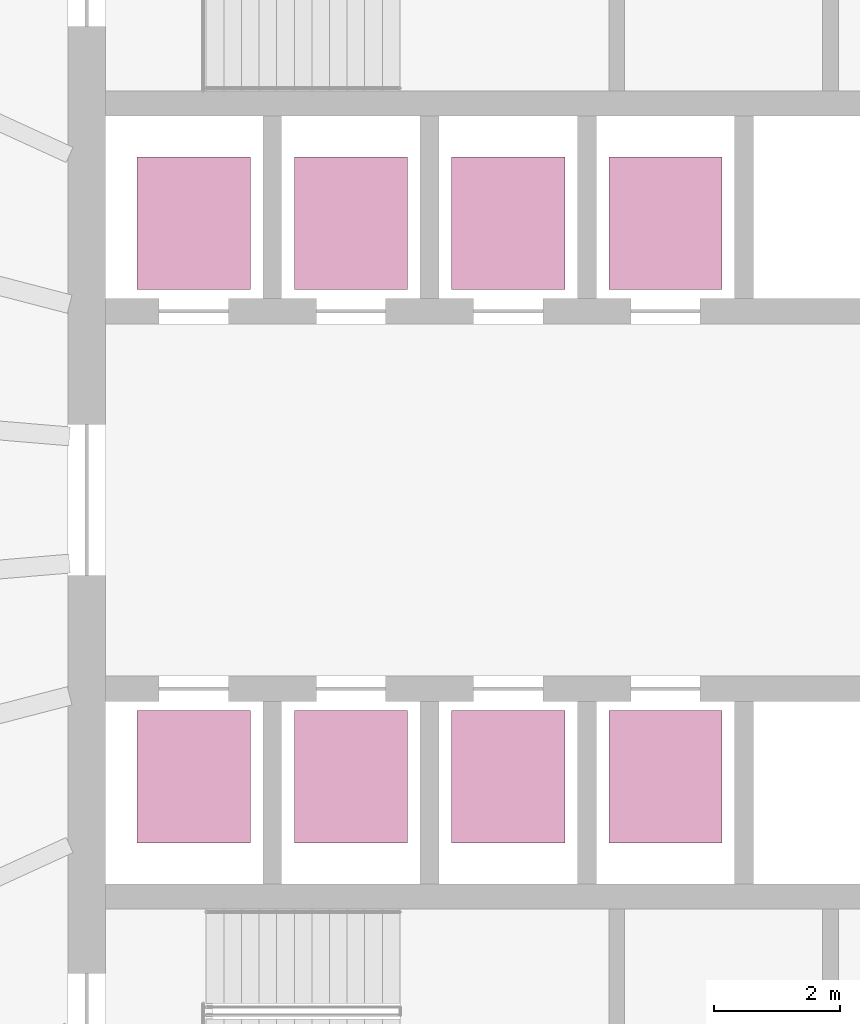
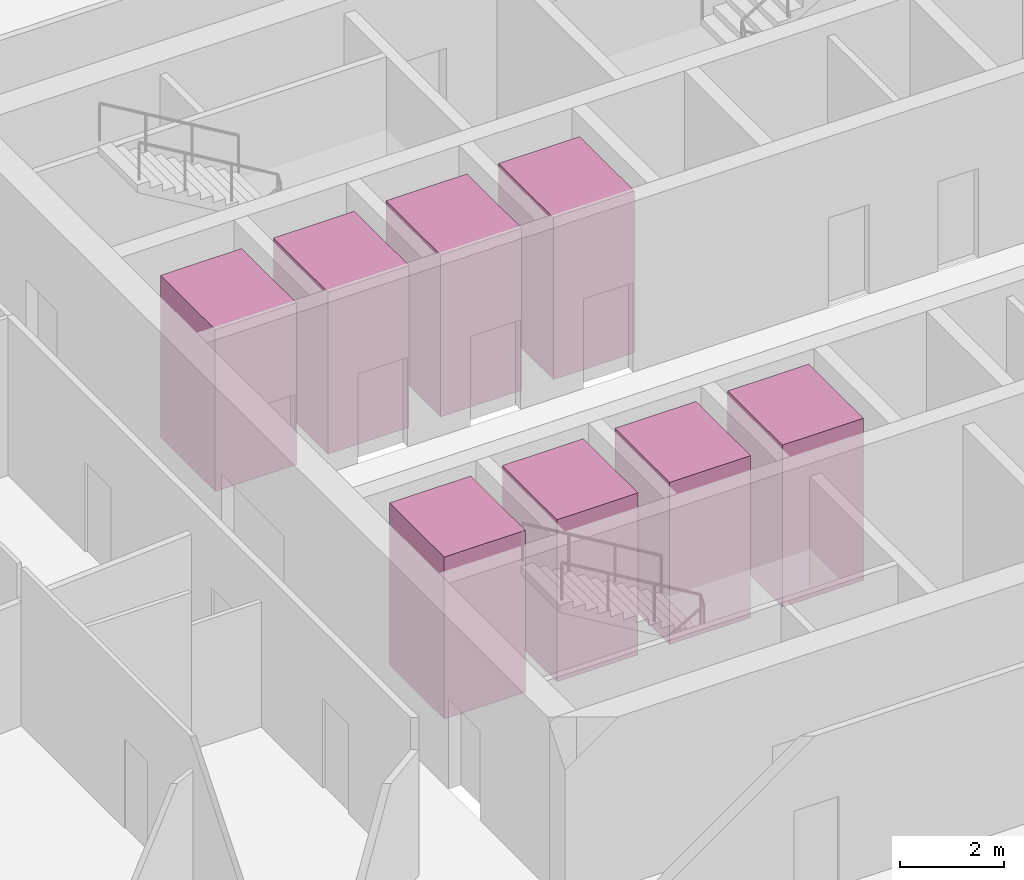
# One storey, part 11 of 11: 8 transport elements.
"""IFC4 building model written with IfcOpenShell, lengths in metres."""

import ifcopenshell
import ifcopenshell.guid

model = None  # the IFC model being written
_history = None  # IfcOwnerHistory: only IFC2X3 demands one
_inside = {}  # id of a spatial element -> (the spatial element, [elements in it])
_under = {}  # id of a project, library or spatial element -> (it, [spatial elements below it])
_declared = {}  # id of a project -> (the project, [libraries it declares])
_typed = {}  # id of a type object -> (the type object, [elements of that type])
_made_of = {}  # id of a material, layer set ... -> (it, [elements and type objects made of it])


def new_model(schema):
    """Start an empty IFC model of exactly this schema.

    Asked for "IFC4X3", IfcOpenShell would pick the latest addendum, in which some entities
    have other attributes; the version numbers below select the first issue.
    IFC2X3 requires an IfcOwnerHistory on every rooted entity: one is made here for all.
    """
    global model, _history
    if schema == "IFC4X3":
        model = ifcopenshell.file(schema_version=(4, 3, 0, 0))
    else:
        model = ifcopenshell.file(schema=schema)
    _inside.clear()
    _under.clear()
    _declared.clear()
    _typed.clear()
    _made_of.clear()
    _history = None
    if model.schema == "IFC2X3":
        org = make("IfcOrganization", Name="unknown")
        user = make(
            "IfcPersonAndOrganization",
            ThePerson=make("IfcPerson", FamilyName="unknown"),
            TheOrganization=org,
        )
        app = make(
            "IfcApplication",
            ApplicationDeveloper=org,
            Version="unknown",
            ApplicationFullName="unknown",
            ApplicationIdentifier="unknown",
        )
        _history = make(
            "IfcOwnerHistory",
            OwningUser=user,
            OwningApplication=app,
            ChangeAction="ADDED",
            CreationDate=0,
        )
    return model


def make(cls, **values):
    """One entity of the class cls with the attributes given. An attribute that is None is left unset."""
    return model.create_entity(
        cls, **{name: value for name, value in values.items() if value is not None}
    )


def rooted(cls, **values):
    """An entity with a GlobalId (a new one), such as an element, a storey or a relation."""
    return make(cls, GlobalId=ifcopenshell.guid.new(), OwnerHistory=_history, **values)


def si_unit(unit_type, name, prefix=None):
    """IfcSIUnit, for example si_unit("LENGTHUNIT", "METRE", prefix="MILLI")."""
    return make("IfcSIUnit", UnitType=unit_type, Prefix=prefix, Name=name)


def assignment(units):
    """IfcUnitAssignment: the units of a project."""
    return None if units is None else make("IfcUnitAssignment", Units=units)


def point(xyz):
    """IfcCartesianPoint."""
    return None if xyz is None else make("IfcCartesianPoint", Coordinates=xyz)


def direction(xyz):
    """IfcDirection."""
    return None if xyz is None else make("IfcDirection", DirectionRatios=xyz)


def frame(location, z_axis=None, x_axis=None):
    """IfcAxis2Placement3D, a coordinate frame: its origin and axes. An axis left out is left unset."""
    return make(
        "IfcAxis2Placement3D",
        Location=point(location),
        Axis=direction(z_axis),
        RefDirection=direction(x_axis),
    )


def frame_2d(location, x_axis=None):
    """IfcAxis2Placement2D, a coordinate frame in the plane: its origin and x axis."""
    return make(
        "IfcAxis2Placement2D", Location=point(location), RefDirection=direction(x_axis)
    )


def origin():
    """The frame at (0, 0, 0) with its axes left unset."""
    return frame((0.0, 0.0, 0.0))


def origin_2d():
    """The frame at (0, 0) in the plane with its x axis left unset."""
    return frame_2d((0.0, 0.0))


def place(relative_to, where):
    """IfcLocalPlacement: puts the frame where relative to a parent placement (None: the world)."""
    return make(
        "IfcLocalPlacement", PlacementRelTo=relative_to, RelativePlacement=where
    )


def context(
    kind, dimensions, precision=None, world=None, true_north=None, identifier=None
):
    """IfcGeometricRepresentationContext, for example the 3D "Model" context."""
    return make(
        "IfcGeometricRepresentationContext",
        ContextIdentifier=identifier,
        ContextType=kind,
        CoordinateSpaceDimension=dimensions,
        Precision=precision,
        WorldCoordinateSystem=world,
        TrueNorth=true_north,
    )


def subcontext(parent, identifier, kind, view, scale=None):
    """IfcGeometricRepresentationSubContext, for example "Body" below "Model"."""
    return make(
        "IfcGeometricRepresentationSubContext",
        ContextIdentifier=identifier,
        ContextType=kind,
        ParentContext=parent,
        TargetScale=scale,
        TargetView=view,
    )


def project(units=None, contexts=None):
    """IfcProject with its units and contexts."""
    return rooted(
        "IfcProject",
        Name="project",
        RepresentationContexts=contexts,
        UnitsInContext=assignment(units),
    )


def spatial(cls, under=None, at=None, **own):
    """A site, building, storey or space (cls), placed at a placement, below another one or the project."""
    s = rooted(cls, ObjectPlacement=at, **own)
    if under is not None:
        _under.setdefault(under.id(), (under, []))[1].append(s)
    return s


def profile(cls, at=None, kind="AREA", **sizes):
    """A parametric profile (cls). Its sizes go by their IFC names, for example OverallWidth=200.0."""
    return make(cls, ProfileType=kind, Position=at, **sizes)


def rectangle(**sizes):
    """IfcRectangleProfileDef."""
    return profile("IfcRectangleProfileDef", **sizes)


def extrude(swept, where, along, depth):
    """IfcExtrudedAreaSolid: the profile swept, set in the frame where, extruded along a direction by depth."""
    return make(
        "IfcExtrudedAreaSolid",
        SweptArea=swept,
        Position=where,
        ExtrudedDirection=direction(along),
        Depth=depth,
    )


def shape(context_of_items, identifier, shape_type, items):
    """IfcShapeRepresentation: the items that make up one representation, for example the "Body"."""
    return make(
        "IfcShapeRepresentation",
        ContextOfItems=context_of_items,
        RepresentationIdentifier=identifier,
        RepresentationType=shape_type,
        Items=items,
    )


def material(Name=None, Category=None):
    """IfcMaterial."""
    return make("IfcMaterial", Name=Name, Category=Category)


def made_of(thing, what):
    """Note that an element or type object is made of a material, layer set ...; save() writes the relation."""
    if what is not None:
        _made_of.setdefault(what.id(), (what, []))[1].append(thing)
    return thing


def type_object(cls, material=None, **own):
    """A type object (cls), such as IfcWallType, which elements share."""
    return made_of(rooted(cls, **own), material)


def element(
    cls,
    number,
    at=None,
    inside=None,
    cuts=None,
    type_object=None,
    material=None,
    context=None,
    identifier="Body",
    shape_type=None,
    held_by="IfcProductDefinitionShape",
    body=None,
    shapes=None,
    **own,
):
    """One element of the class cls, such as IfcWall. Its Tag is "e" and its number.

    at: its placement. inside: the storey or other place that contains it. cuts: it is an
    opening in that element (IfcRelVoidsElement). A single representation is given by context,
    identifier, shape_type and body (its items); several are given by shapes. held_by: the class
    of the entity that holds the representations. save() writes the other relations.
    """
    e = rooted(cls, Tag="e%d" % number, ObjectPlacement=at, **own)
    if body is not None:
        shapes = [shape(context, identifier, shape_type, body)]
    if shapes is not None:
        e.Representation = make(held_by, Representations=shapes)
    if inside is not None:
        _inside.setdefault(inside.id(), (inside, []))[1].append(e)
    if cuts is not None:
        rooted(
            "IfcRelVoidsElement", RelatingBuildingElement=cuts, RelatedOpeningElement=e
        )
    if type_object is not None:
        _typed.setdefault(type_object.id(), (type_object, []))[1].append(e)
    return made_of(e, material)


def aggregate(whole, parts):
    """IfcRelAggregates: a whole, such as a stair, and the parts it consists of."""
    return rooted("IfcRelAggregates", RelatingObject=whole, RelatedObjects=parts)


def save(model, path):
    """Write the relations noted so far, then the file.

    IfcRelAggregates (storeys below a building ...), IfcRelContainedInSpatialStructure (elements
    in a storey), IfcRelDefinesByType, IfcRelAssociatesMaterial and IfcRelDeclares: one each for
    every whole, place, type object, material and project.
    """
    for whole, parts in _under.values():
        aggregate(whole, parts)
    for where, things in _inside.values():
        rooted(
            "IfcRelContainedInSpatialStructure",
            RelatedElements=things,
            RelatingStructure=where,
        )
    for kind, things in _typed.values():
        rooted("IfcRelDefinesByType", RelatedObjects=things, RelatingType=kind)
    for what, things in _made_of.values():
        rooted("IfcRelAssociatesMaterial", RelatedObjects=things, RelatingMaterial=what)
    for by, libraries in _declared.values():
        rooted("IfcRelDeclares", RelatingContext=by, RelatedDefinitions=libraries)
    model.write(path)


model = new_model("IFC4")

# Units and contexts
model_context = context("Model", 3, precision=1e-05, world=origin(), true_north=direction((0.0, 1.0)))
body_context = subcontext(model_context, "Body", "Model", "MODEL_VIEW")
ifc_project = project(units=[si_unit("LENGTHUNIT", "METRE"), si_unit("AREAUNIT", "SQUARE_METRE"), si_unit("VOLUMEUNIT", "CUBIC_METRE"), si_unit("PLANEANGLEUNIT", "RADIAN"), si_unit("MASSUNIT", "GRAM", prefix="KILO")], contexts=[model_context])

# Site, building, storey
site_placement = place(None, origin())
site = spatial("IfcSite", under=ifc_project, at=site_placement, CompositionType="ELEMENT")
building_placement = place(site_placement, origin())
building = spatial("IfcBuilding", under=site, at=building_placement, Name="Halqa Exchange Tower", CompositionType="ELEMENT")
storey_placement = place(building_placement, frame((0.0, 0.0, 222.89990234375)))
storey = spatial("IfcBuildingStorey", under=building, at=storey_placement, Name="L51", CompositionType="ELEMENT", Elevation=222.89990234375)

# Transport elements
ifc_material = material(Name="Stainless steel", Category="steel")
transport_element_type_1 = type_object("IfcTransportElementType", Name="High-rise passenger lift 1800 x 2100", PredefinedType="ELEVATOR", material=ifc_material)
for number, where, z_axis, x_axis, name in (
    (1, (-10.0, 4.39990234375, 0.0), (0.0, 0.0, 1.0), (1.0, 0.0, 0.0), "High-rise passenger lift HR1"),
    (2, (-7.5, 4.39990234375, 0.0), (0.0, 0.0, 1.0), (1.0, 0.0, 0.0), "High-rise passenger lift HR2"),
    (3, (-10.0, -4.39990234375, 0.0), (0.0, 0.0, 1.0), (1.0, 0.0, 0.0), "High-rise passenger lift HR3"),
    (4, (-7.5, -4.39990234375, 0.0), (0.0, 0.0, 1.0), (1.0, 0.0, 0.0), "High-rise passenger lift HR4"),
):
    element("IfcTransportElement", number, at=place(storey_placement, frame(where, z_axis=z_axis, x_axis=x_axis)), inside=storey, type_object=transport_element_type_1, Name=name, PredefinedType="ELEVATOR", context=body_context, shape_type="SweptSolid", body=[
        extrude(rectangle(XDim=1.800048828125, YDim=2.10009765625, at=origin_2d()), origin(), (0.0, 0.0, 1.0), 3.800048828125),
    ])
transport_element_type_2 = type_object("IfcTransportElementType", Name="Mid-rise passenger lift 1800 x 2100", PredefinedType="ELEVATOR", material=ifc_material)
for number, where, z_axis, x_axis, name in (
    (5, (-5.0, 4.39990234375, 0.0), (0.0, 0.0, 1.0), (1.0, 0.0, 0.0), "Mid-rise passenger lift MR1"),
    (6, (-2.5, 4.39990234375, 0.0), (0.0, 0.0, 1.0), (1.0, 0.0, 0.0), "Mid-rise passenger lift MR2"),
    (7, (-5.0, -4.39990234375, 0.0), (0.0, 0.0, 1.0), (1.0, 0.0, 0.0), "Mid-rise passenger lift MR3"),
    (8, (-2.5, -4.39990234375, 0.0), (0.0, 0.0, 1.0), (1.0, 0.0, 0.0), "Mid-rise passenger lift MR4"),
):
    element("IfcTransportElement", number, at=place(storey_placement, frame(where, z_axis=z_axis, x_axis=x_axis)), inside=storey, type_object=transport_element_type_2, Name=name, PredefinedType="ELEVATOR", context=body_context, shape_type="SweptSolid", body=[
        extrude(rectangle(XDim=1.800048828125, YDim=2.10009765625, at=origin_2d()), origin(), (0.0, 0.0, 1.0), 3.800048828125),
    ])

save(model, "model.ifc")
